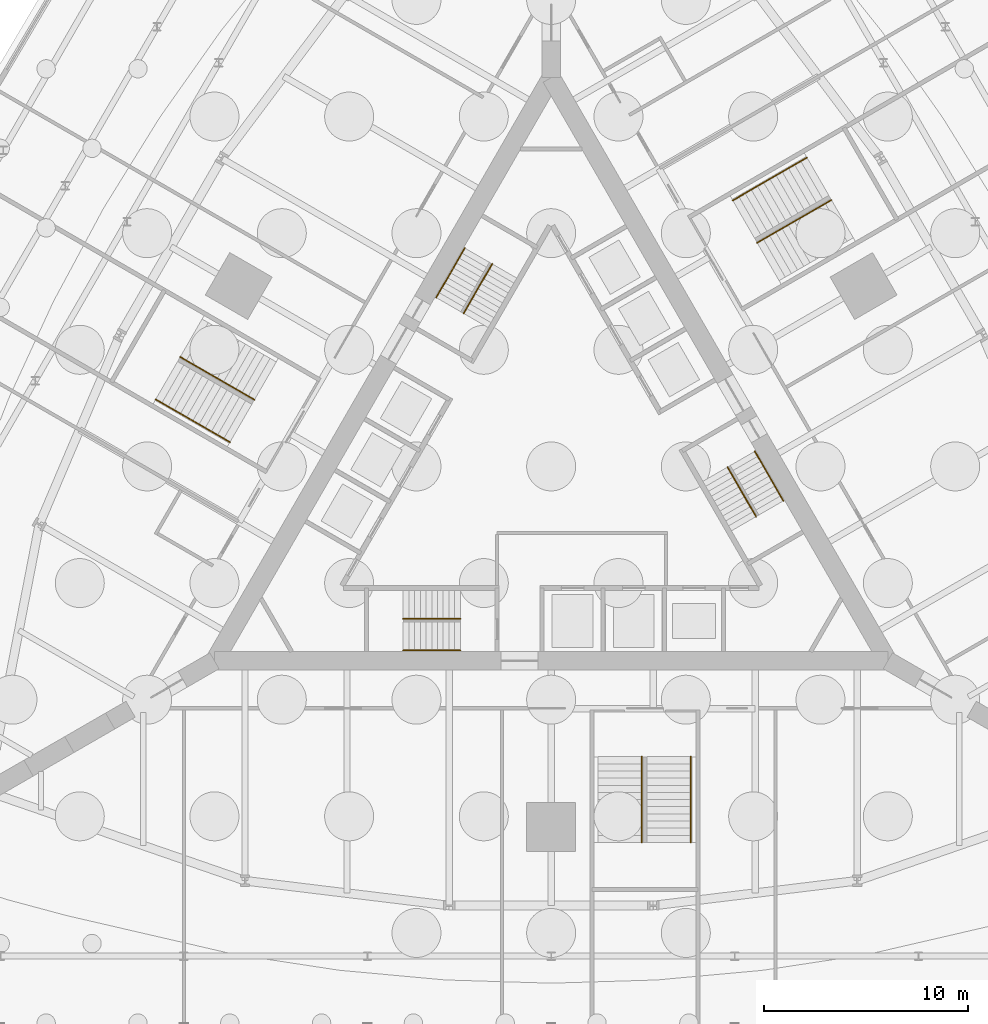
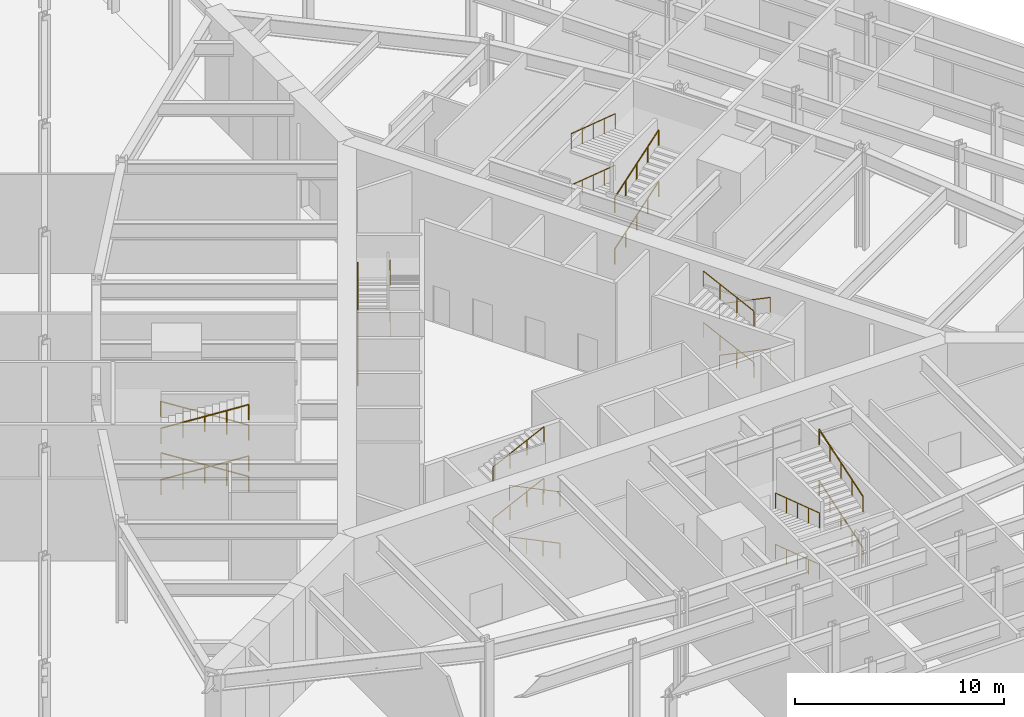
# One storey, part 16 of 17: 24 railings.
"""IFC4 building model written with IfcOpenShell, lengths in metres."""

from ifc_helpers import new_model, si_unit, direction, frame, origin, origin_2d, place, context, subcontext, project, spatial, circle, extrude, material, type_object, element, save


model = new_model("IFC4")

# Units and contexts
model_context = context("Model", 3, precision=1e-05, world=origin(), true_north=direction((0.0, 1.0)))
body_context = subcontext(model_context, "Body", "Model", "MODEL_VIEW")
ifc_project = project(units=[si_unit("LENGTHUNIT", "METRE"), si_unit("AREAUNIT", "SQUARE_METRE"), si_unit("VOLUMEUNIT", "CUBIC_METRE"), si_unit("PLANEANGLEUNIT", "RADIAN"), si_unit("MASSUNIT", "GRAM", prefix="KILO")], contexts=[model_context])

# Site, building, storey
site_placement = place(None, origin())
site = spatial("IfcSite", under=ifc_project, at=site_placement, CompositionType="ELEMENT")
building_placement = place(site_placement, origin())
building = spatial("IfcBuilding", under=site, at=building_placement, Name="Trikona Tower", CompositionType="ELEMENT")
storey_placement = place(building_placement, origin())
storey = spatial("IfcBuildingStorey", under=building, at=storey_placement, Name="L00", CompositionType="ELEMENT", Elevation=0.0)

# Railings
ifc_material = material(Name="Stainless steel handrail", Category="steel")
railing_type = type_object("IfcRailingType", Name="Stair handrail", PredefinedType="HANDRAIL", material=ifc_material)
railing_1_placement = place(storey_placement, frame((-4.449951171875, -9.016357421875, 0.136474609375)))
element("IfcRailing", 1, at=railing_1_placement, inside=storey, type_object=railing_type, Name="Stair handrail A L00 1", PredefinedType="HANDRAIL", context=body_context, shape_type="SweptSolid", body=[
    extrude(circle(Radius=0.02392578125, at=origin_2d()), frame((0.0, 0.0, 0.8759765625), z_axis=(-0.899065830389, 0.0, 0.437813467846), x_axis=(0.0, -1.0, 0.0)), (0.0, 0.0, 1.0), 3.114501953125),
    extrude(circle(Radius=0.02099609375, at=origin_2d()), origin(), (0.0, 0.0, 1.0), 0.851806640625),
    extrude(circle(Radius=0.02099609375, at=origin_2d()), frame((-0.933349609375, 0.0, 0.45458984375)), (0.0, 0.0, 1.0), 0.851806640625),
    extrude(circle(Radius=0.02099609375, at=origin_2d()), frame((-1.86669921875, 0.0, 0.908935546875)), (0.0, 0.0, 1.0), 0.851806640625),
    extrude(circle(Radius=0.02099609375, at=origin_2d()), frame((-2.800048828125, 0.0, 1.363525390625)), (0.0, 0.0, 1.0), 0.851806640625),
])
railing_2_placement = place(storey_placement, frame((-7.25, -7.46630859375, 1.636474609375)))
element("IfcRailing", 2, at=railing_2_placement, inside=storey, type_object=railing_type, Name="Stair handrail A L00 2", PredefinedType="HANDRAIL", context=body_context, shape_type="SweptSolid", body=[
    extrude(circle(Radius=0.02392578125, at=origin_2d()), frame((0.0, 0.0, 0.8759765625), z_axis=(0.899065830389, 0.0, 0.437813467846), x_axis=(0.0, 1.0, 0.0)), (0.0, 0.0, 1.0), 3.114501953125),
    extrude(circle(Radius=0.02099609375, at=origin_2d()), origin(), (0.0, 0.0, 1.0), 0.851806640625),
    extrude(circle(Radius=0.02099609375, at=origin_2d()), frame((0.933349609375, 0.0, 0.45458984375)), (0.0, 0.0, 1.0), 0.851806640625),
    extrude(circle(Radius=0.02099609375, at=origin_2d()), frame((1.86669921875, 0.0, 0.908935546875)), (0.0, 0.0, 1.0), 0.851806640625),
    extrude(circle(Radius=0.02099609375, at=origin_2d()), frame((2.800048828125, 0.0, 1.363525390625)), (0.0, 0.0, 1.0), 0.851806640625),
])
railing_3_placement = place(storey_placement, frame((-4.449951171875, -9.016357421875, 3.136474609375)))
element("IfcRailing", 3, at=railing_3_placement, inside=storey, type_object=railing_type, Name="Stair handrail A L00 3", PredefinedType="HANDRAIL", context=body_context, shape_type="SweptSolid", body=[
    extrude(circle(Radius=0.02392578125, at=origin_2d()), frame((0.0, 0.0, 0.8759765625), z_axis=(-0.899065830389, 0.0, 0.437813467846), x_axis=(0.0, -1.0, 0.0)), (0.0, 0.0, 1.0), 3.114501953125),
    extrude(circle(Radius=0.02099609375, at=origin_2d()), origin(), (0.0, 0.0, 1.0), 0.851806640625),
    extrude(circle(Radius=0.02099609375, at=origin_2d()), frame((-0.933349609375, 0.0, 0.45458984375)), (0.0, 0.0, 1.0), 0.851806640625),
    extrude(circle(Radius=0.02099609375, at=origin_2d()), frame((-1.86669921875, 0.0, 0.908935546875)), (0.0, 0.0, 1.0), 0.851806640625),
    extrude(circle(Radius=0.02099609375, at=origin_2d()), frame((-2.800048828125, 0.0, 1.363525390625)), (0.0, 0.0, 1.0), 0.851806640625),
])
railing_4_placement = place(storey_placement, frame((-7.25, -7.46630859375, 4.636474609375)))
element("IfcRailing", 4, at=railing_4_placement, inside=storey, type_object=railing_type, Name="Stair handrail A L00 4", PredefinedType="HANDRAIL", context=body_context, shape_type="SweptSolid", body=[
    extrude(circle(Radius=0.02392578125, at=origin_2d()), frame((0.0, 0.0, 0.8759765625), z_axis=(0.899065830389, 0.0, 0.437813467846), x_axis=(0.0, 1.0, 0.0)), (0.0, 0.0, 1.0), 3.114501953125),
    extrude(circle(Radius=0.02099609375, at=origin_2d()), origin(), (0.0, 0.0, 1.0), 0.851806640625),
    extrude(circle(Radius=0.02099609375, at=origin_2d()), frame((0.933349609375, 0.0, 0.45458984375)), (0.0, 0.0, 1.0), 0.851806640625),
    extrude(circle(Radius=0.02099609375, at=origin_2d()), frame((1.86669921875, 0.0, 0.908935546875)), (0.0, 0.0, 1.0), 0.851806640625),
    extrude(circle(Radius=0.02099609375, at=origin_2d()), frame((2.800048828125, 0.0, 1.363525390625)), (0.0, 0.0, 1.0), 0.851806640625),
])
railing_5_placement = place(storey_placement, frame((9.9833984375, 0.740966796875, 0.136474609375)))
element("IfcRailing", 5, at=railing_5_placement, inside=storey, type_object=railing_type, Name="Stair handrail B L00 1", PredefinedType="HANDRAIL", context=body_context, shape_type="SweptSolid", body=[
    extrude(circle(Radius=0.02392578125, at=origin_2d()), frame((0.0, 0.0, 0.8759765625), z_axis=(0.449486422157, -0.778644686308, 0.437806359914), x_axis=(0.866056369097, 0.49994636267, 0.0)), (0.0, 0.0, 1.0), 3.114501953125),
    extrude(circle(Radius=0.02099609375, at=origin_2d()), origin(), (0.0, 0.0, 1.0), 0.851806640625),
    extrude(circle(Radius=0.02099609375, at=origin_2d()), frame((0.466552734375, -0.808349609375, 0.45458984375)), (0.0, 0.0, 1.0), 0.851806640625),
    extrude(circle(Radius=0.02099609375, at=origin_2d()), frame((0.933349609375, -1.61669921875, 0.908935546875)), (0.0, 0.0, 1.0), 0.851806640625),
    extrude(circle(Radius=0.02099609375, at=origin_2d()), frame((1.39990234375, -2.425048828125, 1.363525390625)), (0.0, 0.0, 1.0), 0.851806640625),
])
railing_6_placement = place(storey_placement, frame((10.041015625, -2.458984375, 1.636474609375)))
element("IfcRailing", 6, at=railing_6_placement, inside=storey, type_object=railing_type, Name="Stair handrail B L00 2", PredefinedType="HANDRAIL", context=body_context, shape_type="SweptSolid", body=[
    extrude(circle(Radius=0.02392578125, at=origin_2d()), frame((0.0, 0.0, 0.8759765625), z_axis=(-0.449486422157, 0.778644686308, 0.437806359914), x_axis=(-0.866056369097, -0.49994636267, 0.0)), (0.0, 0.0, 1.0), 3.114501953125),
    extrude(circle(Radius=0.02099609375, at=origin_2d()), origin(), (0.0, 0.0, 1.0), 0.851806640625),
    extrude(circle(Radius=0.02099609375, at=origin_2d()), frame((-0.466552734375, 0.808349609375, 0.45458984375)), (0.0, 0.0, 1.0), 0.851806640625),
    extrude(circle(Radius=0.02099609375, at=origin_2d()), frame((-0.933349609375, 1.61669921875, 0.908935546875)), (0.0, 0.0, 1.0), 0.851806640625),
    extrude(circle(Radius=0.02099609375, at=origin_2d()), frame((-1.39990234375, 2.425048828125, 1.363525390625)), (0.0, 0.0, 1.0), 0.851806640625),
])
railing_7_placement = place(storey_placement, frame((9.9833984375, 0.740966796875, 3.136474609375)))
element("IfcRailing", 7, at=railing_7_placement, inside=storey, type_object=railing_type, Name="Stair handrail B L00 3", PredefinedType="HANDRAIL", context=body_context, shape_type="SweptSolid", body=[
    extrude(circle(Radius=0.02392578125, at=origin_2d()), frame((0.0, 0.0, 0.8759765625), z_axis=(0.449486422157, -0.778644686308, 0.437806359914), x_axis=(0.866056369097, 0.49994636267, 0.0)), (0.0, 0.0, 1.0), 3.114501953125),
    extrude(circle(Radius=0.02099609375, at=origin_2d()), origin(), (0.0, 0.0, 1.0), 0.851806640625),
    extrude(circle(Radius=0.02099609375, at=origin_2d()), frame((0.466552734375, -0.808349609375, 0.45458984375)), (0.0, 0.0, 1.0), 0.851806640625),
    extrude(circle(Radius=0.02099609375, at=origin_2d()), frame((0.933349609375, -1.61669921875, 0.908935546875)), (0.0, 0.0, 1.0), 0.851806640625),
    extrude(circle(Radius=0.02099609375, at=origin_2d()), frame((1.39990234375, -2.425048828125, 1.363525390625)), (0.0, 0.0, 1.0), 0.851806640625),
])
railing_8_placement = place(storey_placement, frame((10.041015625, -2.458984375, 4.636474609375)))
element("IfcRailing", 8, at=railing_8_placement, inside=storey, type_object=railing_type, Name="Stair handrail B L00 4", PredefinedType="HANDRAIL", context=body_context, shape_type="SweptSolid", body=[
    extrude(circle(Radius=0.02392578125, at=origin_2d()), frame((0.0, 0.0, 0.8759765625), z_axis=(-0.449486422157, 0.778644686308, 0.437806359914), x_axis=(-0.866056369097, -0.49994636267, 0.0)), (0.0, 0.0, 1.0), 3.114501953125),
    extrude(circle(Radius=0.02099609375, at=origin_2d()), origin(), (0.0, 0.0, 1.0), 0.851806640625),
    extrude(circle(Radius=0.02099609375, at=origin_2d()), frame((-0.466552734375, 0.808349609375, 0.45458984375)), (0.0, 0.0, 1.0), 0.851806640625),
    extrude(circle(Radius=0.02099609375, at=origin_2d()), frame((-0.933349609375, 1.61669921875, 0.908935546875)), (0.0, 0.0, 1.0), 0.851806640625),
    extrude(circle(Radius=0.02099609375, at=origin_2d()), frame((-1.39990234375, 2.425048828125, 1.363525390625)), (0.0, 0.0, 1.0), 0.851806640625),
])
railing_9_placement = place(storey_placement, frame((-5.63330078125, 8.275390625, 0.136474609375)))
element("IfcRailing", 9, at=railing_9_placement, inside=storey, type_object=railing_type, Name="Stair handrail C L00 1", PredefinedType="HANDRAIL", context=body_context, shape_type="SweptSolid", body=[
    extrude(circle(Radius=0.02392578125, at=origin_2d()), frame((0.0, 0.0, 0.8759765625), z_axis=(0.449513858909, 0.778613820489, 0.437833083712), x_axis=(-0.866034573852, 0.49998411664, 0.0)), (0.0, 0.0, 1.0), 3.1142578125),
    extrude(circle(Radius=0.02099609375, at=origin_2d()), origin(), (0.0, 0.0, 1.0), 0.851806640625),
    extrude(circle(Radius=0.02099609375, at=origin_2d()), frame((0.466552734375, 0.808349609375, 0.45458984375)), (0.0, 0.0, 1.0), 0.851806640625),
    extrude(circle(Radius=0.02099609375, at=origin_2d()), frame((0.933349609375, 1.616455078125, 0.908935546875)), (0.0, 0.0, 1.0), 0.851806640625),
    extrude(circle(Radius=0.02099609375, at=origin_2d()), frame((1.39990234375, 2.4248046875, 1.363525390625)), (0.0, 0.0, 1.0), 0.851806640625),
])
railing_10_placement = place(storey_placement, frame((-2.89111328125, 9.92529296875, 1.636474609375)))
element("IfcRailing", 10, at=railing_10_placement, inside=storey, type_object=railing_type, Name="Stair handrail C L00 2", PredefinedType="HANDRAIL", context=body_context, shape_type="SweptSolid", body=[
    extrude(circle(Radius=0.02392578125, at=origin_2d()), frame((0.0, 0.0, 0.8759765625), z_axis=(-0.449486422157, -0.778644686308, 0.437806359914), x_axis=(0.866056369097, -0.49994636267, 0.0)), (0.0, 0.0, 1.0), 3.114501953125),
    extrude(circle(Radius=0.02099609375, at=origin_2d()), origin(), (0.0, 0.0, 1.0), 0.851806640625),
    extrude(circle(Radius=0.02099609375, at=origin_2d()), frame((-0.466552734375, -0.808349609375, 0.45458984375)), (0.0, 0.0, 1.0), 0.851806640625),
    extrude(circle(Radius=0.02099609375, at=origin_2d()), frame((-0.933349609375, -1.61669921875, 0.908935546875)), (0.0, 0.0, 1.0), 0.851806640625),
    extrude(circle(Radius=0.02099609375, at=origin_2d()), frame((-1.39990234375, -2.425048828125, 1.363525390625)), (0.0, 0.0, 1.0), 0.851806640625),
])
railing_11_placement = place(storey_placement, frame((-5.63330078125, 8.275390625, 3.136474609375)))
element("IfcRailing", 11, at=railing_11_placement, inside=storey, type_object=railing_type, Name="Stair handrail C L00 3", PredefinedType="HANDRAIL", context=body_context, shape_type="SweptSolid", body=[
    extrude(circle(Radius=0.02392578125, at=origin_2d()), frame((0.0, 0.0, 0.8759765625), z_axis=(0.449513858909, 0.778613820489, 0.437833083712), x_axis=(-0.866034573852, 0.49998411664, 0.0)), (0.0, 0.0, 1.0), 3.1142578125),
    extrude(circle(Radius=0.02099609375, at=origin_2d()), origin(), (0.0, 0.0, 1.0), 0.851806640625),
    extrude(circle(Radius=0.02099609375, at=origin_2d()), frame((0.466552734375, 0.808349609375, 0.45458984375)), (0.0, 0.0, 1.0), 0.851806640625),
    extrude(circle(Radius=0.02099609375, at=origin_2d()), frame((0.933349609375, 1.616455078125, 0.908935546875)), (0.0, 0.0, 1.0), 0.851806640625),
    extrude(circle(Radius=0.02099609375, at=origin_2d()), frame((1.39990234375, 2.4248046875, 1.363525390625)), (0.0, 0.0, 1.0), 0.851806640625),
])
railing_12_placement = place(storey_placement, frame((-2.89111328125, 9.92529296875, 4.636474609375)))
element("IfcRailing", 12, at=railing_12_placement, inside=storey, type_object=railing_type, Name="Stair handrail C L00 4", PredefinedType="HANDRAIL", context=body_context, shape_type="SweptSolid", body=[
    extrude(circle(Radius=0.02392578125, at=origin_2d()), frame((0.0, 0.0, 0.8759765625), z_axis=(-0.449486422157, -0.778644686308, 0.437806359914), x_axis=(0.866056369097, -0.49994636267, 0.0)), (0.0, 0.0, 1.0), 3.114501953125),
    extrude(circle(Radius=0.02099609375, at=origin_2d()), origin(), (0.0, 0.0, 1.0), 0.851806640625),
    extrude(circle(Radius=0.02099609375, at=origin_2d()), frame((-0.466552734375, -0.808349609375, 0.45458984375)), (0.0, 0.0, 1.0), 0.851806640625),
    extrude(circle(Radius=0.02099609375, at=origin_2d()), frame((-0.933349609375, -1.61669921875, 0.908935546875)), (0.0, 0.0, 1.0), 0.851806640625),
    extrude(circle(Radius=0.02099609375, at=origin_2d()), frame((-1.39990234375, -2.425048828125, 1.363525390625)), (0.0, 0.0, 1.0), 0.851806640625),
])
railing_13_placement = place(storey_placement, frame((4.43994140625, -14.226318359375, 0.115478515625)))
element("IfcRailing", 13, at=railing_13_placement, inside=storey, type_object=railing_type, Name="Stair handrail PS1 L00 1", PredefinedType="HANDRAIL", context=body_context, shape_type="SweptSolid", body=[
    extrude(circle(Radius=0.02392578125, at=origin_2d()), frame((0.0, 0.0, 0.8759765625), z_axis=(0.0, -0.949727013128, 0.313079224057), x_axis=(1.0, 0.0, 0.0)), (0.0, 0.0, 1.0), 4.42236328125),
    extrude(circle(Radius=0.02099609375, at=origin_2d()), origin(), (0.0, 0.0, 1.0), 0.851806640625),
    extrude(circle(Radius=0.02099609375, at=origin_2d()), frame((0.0, -1.050048828125, 0.34619140625)), (0.0, 0.0, 1.0), 0.851806640625),
    extrude(circle(Radius=0.02099609375, at=origin_2d()), frame((0.0, -2.10009765625, 0.6923828125)), (0.0, 0.0, 1.0), 0.851806640625),
    extrude(circle(Radius=0.02099609375, at=origin_2d()), frame((0.0, -3.14990234375, 1.038330078125)), (0.0, 0.0, 1.0), 0.851806640625),
    extrude(circle(Radius=0.02099609375, at=origin_2d()), frame((0.0, -4.199951171875, 1.384521484375)), (0.0, 0.0, 1.0), 0.851806640625),
])
railing_14_placement = place(storey_placement, frame((6.840087890625, -18.42626953125, 1.615478515625)))
element("IfcRailing", 14, at=railing_14_placement, inside=storey, type_object=railing_type, Name="Stair handrail PS1 L00 2", PredefinedType="HANDRAIL", context=body_context, shape_type="SweptSolid", body=[
    extrude(circle(Radius=0.02392578125, at=origin_2d()), frame((0.0, 0.0, 0.8759765625), z_axis=(0.0, 0.949727013128, 0.313079224057), x_axis=(-1.0, 0.0, 0.0)), (0.0, 0.0, 1.0), 4.42236328125),
    extrude(circle(Radius=0.02099609375, at=origin_2d()), origin(), (0.0, 0.0, 1.0), 0.851806640625),
    extrude(circle(Radius=0.02099609375, at=origin_2d()), frame((0.0, 1.050048828125, 0.34619140625)), (0.0, 0.0, 1.0), 0.851806640625),
    extrude(circle(Radius=0.02099609375, at=origin_2d()), frame((0.0, 2.10009765625, 0.6923828125)), (0.0, 0.0, 1.0), 0.851806640625),
    extrude(circle(Radius=0.02099609375, at=origin_2d()), frame((0.0, 3.14990234375, 1.038330078125)), (0.0, 0.0, 1.0), 0.851806640625),
    extrude(circle(Radius=0.02099609375, at=origin_2d()), frame((0.0, 4.199951171875, 1.384521484375)), (0.0, 0.0, 1.0), 0.851806640625),
])
railing_15_placement = place(storey_placement, frame((4.43994140625, -14.226318359375, 3.115478515625)))
element("IfcRailing", 15, at=railing_15_placement, inside=storey, type_object=railing_type, Name="Stair handrail PS1 L00 3", PredefinedType="HANDRAIL", context=body_context, shape_type="SweptSolid", body=[
    extrude(circle(Radius=0.02392578125, at=origin_2d()), frame((0.0, 0.0, 0.8759765625), z_axis=(0.0, -0.949727013128, 0.313079224057), x_axis=(1.0, 0.0, 0.0)), (0.0, 0.0, 1.0), 4.42236328125),
    extrude(circle(Radius=0.02099609375, at=origin_2d()), origin(), (0.0, 0.0, 1.0), 0.851806640625),
    extrude(circle(Radius=0.02099609375, at=origin_2d()), frame((0.0, -1.050048828125, 0.34619140625)), (0.0, 0.0, 1.0), 0.851806640625),
    extrude(circle(Radius=0.02099609375, at=origin_2d()), frame((0.0, -2.10009765625, 0.6923828125)), (0.0, 0.0, 1.0), 0.851806640625),
    extrude(circle(Radius=0.02099609375, at=origin_2d()), frame((0.0, -3.14990234375, 1.038330078125)), (0.0, 0.0, 1.0), 0.851806640625),
    extrude(circle(Radius=0.02099609375, at=origin_2d()), frame((0.0, -4.199951171875, 1.384521484375)), (0.0, 0.0, 1.0), 0.851806640625),
])
railing_16_placement = place(storey_placement, frame((6.840087890625, -18.42626953125, 4.615478515625)))
element("IfcRailing", 16, at=railing_16_placement, inside=storey, type_object=railing_type, Name="Stair handrail PS1 L00 4", PredefinedType="HANDRAIL", context=body_context, shape_type="SweptSolid", body=[
    extrude(circle(Radius=0.02392578125, at=origin_2d()), frame((0.0, 0.0, 0.8759765625), z_axis=(0.0, 0.949727013128, 0.313079224057), x_axis=(-1.0, 0.0, 0.0)), (0.0, 0.0, 1.0), 4.42236328125),
    extrude(circle(Radius=0.02099609375, at=origin_2d()), origin(), (0.0, 0.0, 1.0), 0.851806640625),
    extrude(circle(Radius=0.02099609375, at=origin_2d()), frame((0.0, 1.050048828125, 0.34619140625)), (0.0, 0.0, 1.0), 0.851806640625),
    extrude(circle(Radius=0.02099609375, at=origin_2d()), frame((0.0, 2.10009765625, 0.6923828125)), (0.0, 0.0, 1.0), 0.851806640625),
    extrude(circle(Radius=0.02099609375, at=origin_2d()), frame((0.0, 3.14990234375, 1.038330078125)), (0.0, 0.0, 1.0), 0.851806640625),
    extrude(circle(Radius=0.02099609375, at=origin_2d()), frame((0.0, 4.199951171875, 1.384521484375)), (0.0, 0.0, 1.0), 0.851806640625),
])
railing_17_placement = place(storey_placement, frame((10.100341796875, 10.958251953125, 0.115478515625)))
element("IfcRailing", 17, at=railing_17_placement, inside=storey, type_object=railing_type, Name="Stair handrail PS2 L00 1", PredefinedType="HANDRAIL", context=body_context, shape_type="SweptSolid", body=[
    extrude(circle(Radius=0.02392578125, at=origin_2d()), frame((0.0, 0.0, 0.8759765625), z_axis=(0.822472741051, 0.474889952915, 0.313078461169), x_axis=(-0.500027713859, 0.866009402589, 0.0)), (0.0, 0.0, 1.0), 4.42236328125),
    extrude(circle(Radius=0.02099609375, at=origin_2d()), origin(), (0.0, 0.0, 1.0), 0.851806640625),
    extrude(circle(Radius=0.02099609375, at=origin_2d()), frame((0.9091796875, 0.52490234375, 0.34619140625)), (0.0, 0.0, 1.0), 0.851806640625),
    extrude(circle(Radius=0.02099609375, at=origin_2d()), frame((1.818603515625, 1.050048828125, 0.6923828125)), (0.0, 0.0, 1.0), 0.851806640625),
    extrude(circle(Radius=0.02099609375, at=origin_2d()), frame((2.72802734375, 1.5751953125, 1.038330078125)), (0.0, 0.0, 1.0), 0.851806640625),
    extrude(circle(Radius=0.02099609375, at=origin_2d()), frame((3.63720703125, 2.10009765625, 1.384521484375)), (0.0, 0.0, 1.0), 0.851806640625),
])
railing_18_placement = place(storey_placement, frame((12.53759765625, 15.13671875, 1.615478515625)))
element("IfcRailing", 18, at=railing_18_placement, inside=storey, type_object=railing_type, Name="Stair handrail PS2 L00 2", PredefinedType="HANDRAIL", context=body_context, shape_type="SweptSolid", body=[
    extrude(circle(Radius=0.02392578125, at=origin_2d()), frame((0.0, 0.0, 0.8759765625), z_axis=(-0.822494303589, -0.474847194601, 0.31308666906), x_axis=(0.49998411664, -0.866034573852, 0.0)), (0.0, 0.0, 1.0), 4.422119140625),
    extrude(circle(Radius=0.02099609375, at=origin_2d()), origin(), (0.0, 0.0, 1.0), 0.851806640625),
    extrude(circle(Radius=0.02099609375, at=origin_2d()), frame((-0.9091796875, -0.52490234375, 0.34619140625)), (0.0, 0.0, 1.0), 0.851806640625),
    extrude(circle(Radius=0.02099609375, at=origin_2d()), frame((-1.818603515625, -1.0498046875, 0.6923828125)), (0.0, 0.0, 1.0), 0.851806640625),
    extrude(circle(Radius=0.02099609375, at=origin_2d()), frame((-2.72802734375, -1.574951171875, 1.038330078125)), (0.0, 0.0, 1.0), 0.851806640625),
    extrude(circle(Radius=0.02099609375, at=origin_2d()), frame((-3.63720703125, -2.099853515625, 1.384521484375)), (0.0, 0.0, 1.0), 0.851806640625),
])
railing_19_placement = place(storey_placement, frame((10.100341796875, 10.958251953125, 3.115478515625)))
element("IfcRailing", 19, at=railing_19_placement, inside=storey, type_object=railing_type, Name="Stair handrail PS2 L00 3", PredefinedType="HANDRAIL", context=body_context, shape_type="SweptSolid", body=[
    extrude(circle(Radius=0.02392578125, at=origin_2d()), frame((0.0, 0.0, 0.8759765625), z_axis=(0.822472741051, 0.474889952915, 0.313078461169), x_axis=(-0.500027713859, 0.866009402589, 0.0)), (0.0, 0.0, 1.0), 4.42236328125),
    extrude(circle(Radius=0.02099609375, at=origin_2d()), origin(), (0.0, 0.0, 1.0), 0.851806640625),
    extrude(circle(Radius=0.02099609375, at=origin_2d()), frame((0.9091796875, 0.52490234375, 0.34619140625)), (0.0, 0.0, 1.0), 0.851806640625),
    extrude(circle(Radius=0.02099609375, at=origin_2d()), frame((1.818603515625, 1.050048828125, 0.6923828125)), (0.0, 0.0, 1.0), 0.851806640625),
    extrude(circle(Radius=0.02099609375, at=origin_2d()), frame((2.72802734375, 1.5751953125, 1.038330078125)), (0.0, 0.0, 1.0), 0.851806640625),
    extrude(circle(Radius=0.02099609375, at=origin_2d()), frame((3.63720703125, 2.10009765625, 1.384521484375)), (0.0, 0.0, 1.0), 0.851806640625),
])
railing_20_placement = place(storey_placement, frame((12.53759765625, 15.13671875, 4.615478515625)))
element("IfcRailing", 20, at=railing_20_placement, inside=storey, type_object=railing_type, Name="Stair handrail PS2 L00 4", PredefinedType="HANDRAIL", context=body_context, shape_type="SweptSolid", body=[
    extrude(circle(Radius=0.02392578125, at=origin_2d()), frame((0.0, 0.0, 0.8759765625), z_axis=(-0.822494303589, -0.474847194601, 0.31308666906), x_axis=(0.49998411664, -0.866034573852, 0.0)), (0.0, 0.0, 1.0), 4.422119140625),
    extrude(circle(Radius=0.02099609375, at=origin_2d()), origin(), (0.0, 0.0, 1.0), 0.851806640625),
    extrude(circle(Radius=0.02099609375, at=origin_2d()), frame((-0.9091796875, -0.52490234375, 0.34619140625)), (0.0, 0.0, 1.0), 0.851806640625),
    extrude(circle(Radius=0.02099609375, at=origin_2d()), frame((-1.818603515625, -1.0498046875, 0.6923828125)), (0.0, 0.0, 1.0), 0.851806640625),
    extrude(circle(Radius=0.02099609375, at=origin_2d()), frame((-2.72802734375, -1.574951171875, 1.038330078125)), (0.0, 0.0, 1.0), 0.851806640625),
    extrude(circle(Radius=0.02099609375, at=origin_2d()), frame((-3.63720703125, -2.099853515625, 1.384521484375)), (0.0, 0.0, 1.0), 0.851806640625),
])
railing_21_placement = place(storey_placement, frame((-14.540283203125, 3.26806640625, 0.115478515625)))
element("IfcRailing", 21, at=railing_21_placement, inside=storey, type_object=railing_type, Name="Stair handrail PS3 L00 1", PredefinedType="HANDRAIL", context=body_context, shape_type="SweptSolid", body=[
    extrude(circle(Radius=0.02392578125, at=origin_2d()), frame((0.0, 0.0, 0.8759765625), z_axis=(-0.822494303589, 0.474847194601, 0.31308666906), x_axis=(-0.49998411664, -0.866034573852, 0.0)), (0.0, 0.0, 1.0), 4.422119140625),
    extrude(circle(Radius=0.02099609375, at=origin_2d()), origin(), (0.0, 0.0, 1.0), 0.851806640625),
    extrude(circle(Radius=0.02099609375, at=origin_2d()), frame((-0.9091796875, 0.52490234375, 0.34619140625)), (0.0, 0.0, 1.0), 0.851806640625),
    extrude(circle(Radius=0.02099609375, at=origin_2d()), frame((-1.818603515625, 1.0498046875, 0.6923828125)), (0.0, 0.0, 1.0), 0.851806640625),
    extrude(circle(Radius=0.02099609375, at=origin_2d()), frame((-2.72802734375, 1.574951171875, 1.038330078125)), (0.0, 0.0, 1.0), 0.851806640625),
    extrude(circle(Radius=0.02099609375, at=origin_2d()), frame((-3.63720703125, 2.099853515625, 1.384521484375)), (0.0, 0.0, 1.0), 0.851806640625),
])
railing_22_placement = place(storey_placement, frame((-19.377685546875, 3.28955078125, 1.615478515625)))
element("IfcRailing", 22, at=railing_22_placement, inside=storey, type_object=railing_type, Name="Stair handrail PS3 L00 2", PredefinedType="HANDRAIL", context=body_context, shape_type="SweptSolid", body=[
    extrude(circle(Radius=0.02392578125, at=origin_2d()), frame((0.0, 0.0, 0.8759765625), z_axis=(0.822490601405, -0.474868390716, 0.313064245961), x_axis=(0.500002543286, 0.866023935413, 0.0)), (0.0, 0.0, 1.0), 4.42236328125),
    extrude(circle(Radius=0.02099609375, at=origin_2d()), origin(), (0.0, 0.0, 1.0), 0.851806640625),
    extrude(circle(Radius=0.02099609375, at=origin_2d()), frame((0.909423828125, -0.52490234375, 0.34619140625)), (0.0, 0.0, 1.0), 0.851806640625),
    extrude(circle(Radius=0.02099609375, at=origin_2d()), frame((1.81884765625, -1.050048828125, 0.6923828125)), (0.0, 0.0, 1.0), 0.851806640625),
    extrude(circle(Radius=0.02099609375, at=origin_2d()), frame((2.72802734375, -1.5751953125, 1.038330078125)), (0.0, 0.0, 1.0), 0.851806640625),
    extrude(circle(Radius=0.02099609375, at=origin_2d()), frame((3.637451171875, -2.10009765625, 1.384521484375)), (0.0, 0.0, 1.0), 0.851806640625),
])
railing_23_placement = place(storey_placement, frame((-14.540283203125, 3.26806640625, 3.115478515625)))
element("IfcRailing", 23, at=railing_23_placement, inside=storey, type_object=railing_type, Name="Stair handrail PS3 L00 3", PredefinedType="HANDRAIL", context=body_context, shape_type="SweptSolid", body=[
    extrude(circle(Radius=0.02392578125, at=origin_2d()), frame((0.0, 0.0, 0.8759765625), z_axis=(-0.822494303589, 0.474847194601, 0.31308666906), x_axis=(-0.49998411664, -0.866034573852, 0.0)), (0.0, 0.0, 1.0), 4.422119140625),
    extrude(circle(Radius=0.02099609375, at=origin_2d()), origin(), (0.0, 0.0, 1.0), 0.851806640625),
    extrude(circle(Radius=0.02099609375, at=origin_2d()), frame((-0.9091796875, 0.52490234375, 0.34619140625)), (0.0, 0.0, 1.0), 0.851806640625),
    extrude(circle(Radius=0.02099609375, at=origin_2d()), frame((-1.818603515625, 1.0498046875, 0.6923828125)), (0.0, 0.0, 1.0), 0.851806640625),
    extrude(circle(Radius=0.02099609375, at=origin_2d()), frame((-2.72802734375, 1.574951171875, 1.038330078125)), (0.0, 0.0, 1.0), 0.851806640625),
    extrude(circle(Radius=0.02099609375, at=origin_2d()), frame((-3.63720703125, 2.099853515625, 1.384521484375)), (0.0, 0.0, 1.0), 0.851806640625),
])
railing_24_placement = place(storey_placement, frame((-19.377685546875, 3.28955078125, 4.615478515625)))
element("IfcRailing", 24, at=railing_24_placement, inside=storey, type_object=railing_type, Name="Stair handrail PS3 L00 4", PredefinedType="HANDRAIL", context=body_context, shape_type="SweptSolid", body=[
    extrude(circle(Radius=0.02392578125, at=origin_2d()), frame((0.0, 0.0, 0.8759765625), z_axis=(0.822490601405, -0.474868390716, 0.313064245961), x_axis=(0.500002543286, 0.866023935413, 0.0)), (0.0, 0.0, 1.0), 4.42236328125),
    extrude(circle(Radius=0.02099609375, at=origin_2d()), origin(), (0.0, 0.0, 1.0), 0.851806640625),
    extrude(circle(Radius=0.02099609375, at=origin_2d()), frame((0.909423828125, -0.52490234375, 0.34619140625)), (0.0, 0.0, 1.0), 0.851806640625),
    extrude(circle(Radius=0.02099609375, at=origin_2d()), frame((1.81884765625, -1.050048828125, 0.6923828125)), (0.0, 0.0, 1.0), 0.851806640625),
    extrude(circle(Radius=0.02099609375, at=origin_2d()), frame((2.72802734375, -1.5751953125, 1.038330078125)), (0.0, 0.0, 1.0), 0.851806640625),
    extrude(circle(Radius=0.02099609375, at=origin_2d()), frame((3.637451171875, -2.10009765625, 1.384521484375)), (0.0, 0.0, 1.0), 0.851806640625),
])

save(model, "model.ifc")
